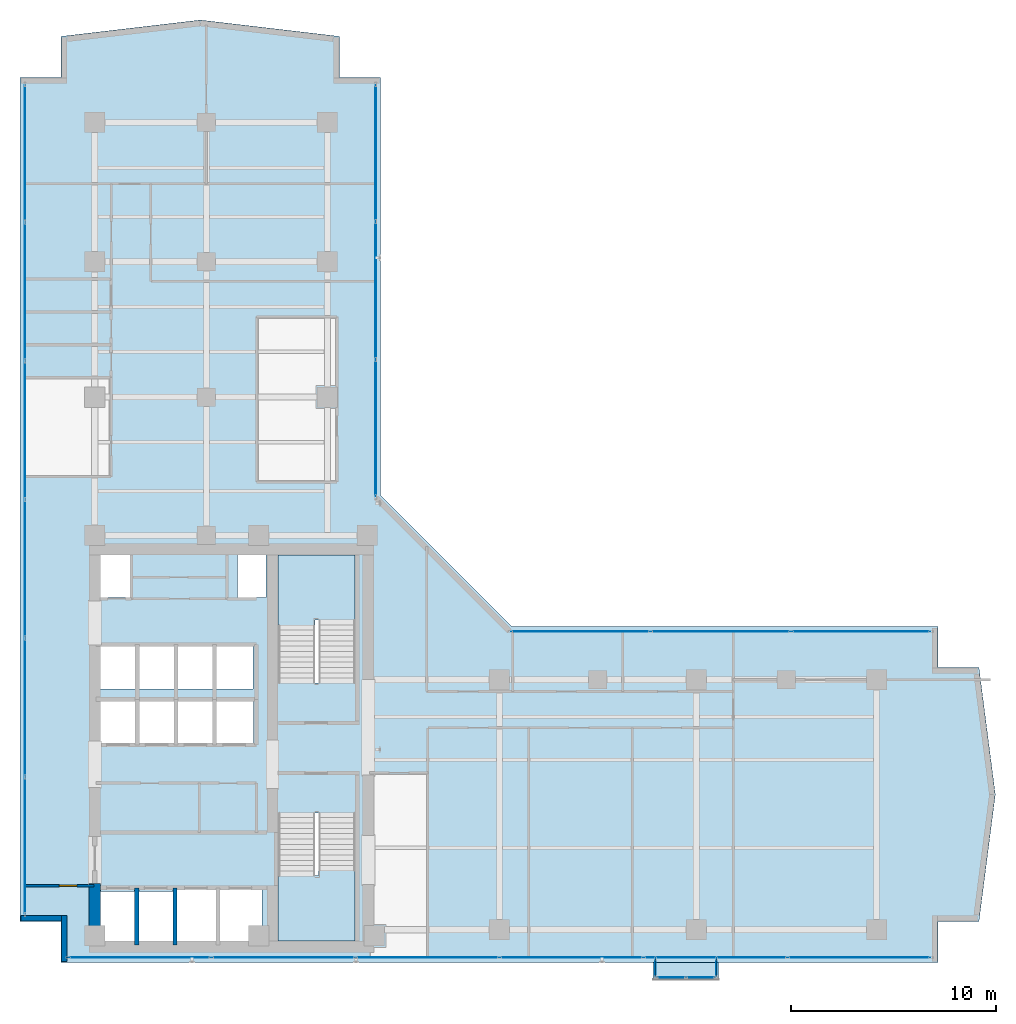
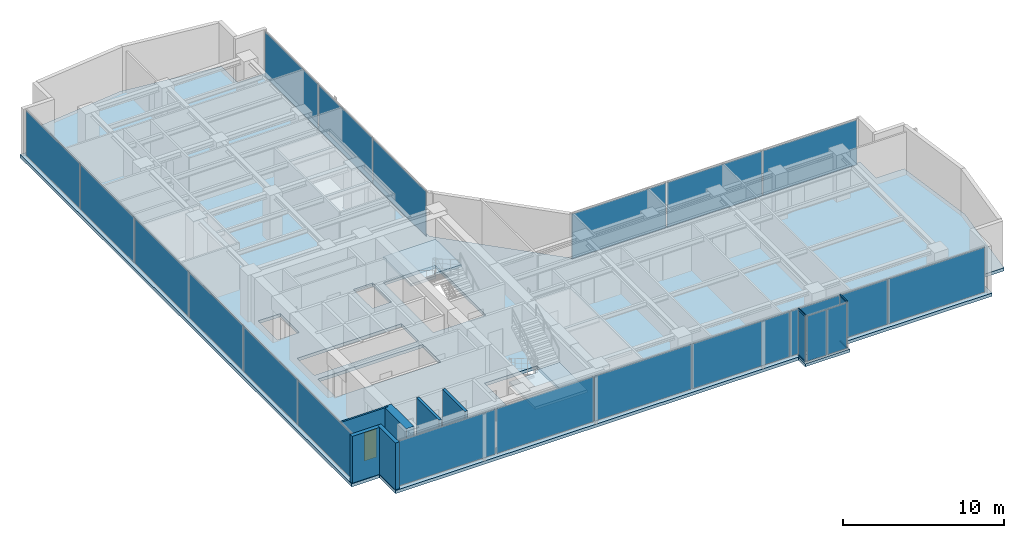
# One storey, part 16 of 24: 22 plates, 6 walls, 4 members, 4 slabs, 1 door, 1 opening, 9 elements without a shape of their own.
"""IFC4 building model written with IfcOpenShell, lengths in metres."""

from ifc_helpers import new_model, si_unit, direction, frame, frame_2d, origin, origin_with_axes, origin_2d, place, context, subcontext, project, spatial, polyline, rectangle, hollow_rectangle, outline, extrude, source, transform, mapped, material, layer, layer_set, material_profile, profile_set, type_object, element, fill, aggregate, save


model = new_model("IFC4")

# Units and contexts
model_context = context("Model", 3, precision=1e-05, world=origin(), true_north=direction((0.0, 1.0)))
body_context = subcontext(model_context, "Body", "Model", "MODEL_VIEW")
ifc_project = project(units=[si_unit("LENGTHUNIT", "METRE"), si_unit("AREAUNIT", "SQUARE_METRE"), si_unit("VOLUMEUNIT", "CUBIC_METRE"), si_unit("PLANEANGLEUNIT", "RADIAN"), si_unit("MASSUNIT", "GRAM", prefix="KILO")], contexts=[model_context])

# Site, building, storey
site_placement = place(None, origin())
site = spatial("IfcSite", under=ifc_project, at=site_placement, CompositionType="ELEMENT")
building_placement = place(site_placement, origin())
building = spatial("IfcBuilding", under=site, at=building_placement, Name="Kolvaren Waterfront Exchange", CompositionType="ELEMENT")
storey_placement = place(building_placement, frame((0.0, 0.0, 208.300048828125)))
storey = spatial("IfcBuildingStorey", under=building, at=storey_placement, Name="L53", CompositionType="ELEMENT", Elevation=208.300048828125)

# Curtain wall, members
ifc_material_1 = material(Name="Anodised bronze aluminium 6063-T6", Category="aluminium")
ifc_layer_1 = layer(ifc_material_1, 0.219970703125, Name="Anodised bronze aluminium 6063-T6")
ifc_layer_set_1 = layer_set([ifc_layer_1], Name="Anodised bronze aluminium 6063-T6")
curtain_wall_type_1 = type_object("IfcCurtainWallType", Name="ARC-CW-SYS3", PredefinedType="USERDEFINED", material=ifc_layer_set_1)
curtain_wall_1_placement = place(storey_placement, origin())
curtain_wall_1 = element("IfcCurtainWall", 1, at=curtain_wall_1_placement, inside=storey, type_object=curtain_wall_type_1, Name="L53 stick curtain wall CW3 (CW-L53-BOX-W)", ObjectType="STICK CURTAIN WALL", PredefinedType="USERDEFINED")
ifc_material_profile = material_profile(ifc_material_1, hollow_rectangle(XDim=0.06494140625, YDim=0.1298828125, WallThickness=0.00390625, at=origin_2d()), Name="ALU-TRN-130x65x4")
ifc_profile_set = profile_set([ifc_material_profile], Name="Anodised bronze aluminium 6063-T6")
member_type = type_object("IfcMemberType", Name="ARC-CWT-130", PredefinedType="USERDEFINED", material=ifc_profile_set)
shared_shape_1 = source(origin_with_axes(), body_context, "Body", "SweptSolid", [
    extrude(hollow_rectangle(XDim=0.06494140625, YDim=0.1298828125, WallThickness=0.00390625, at=origin_2d()), origin(), (0.0, 0.0, 1.0), 0.829833984375),
])
member_1_placement = place(storey_placement, frame((34.81005859375, 3.764892578125, 0.032470703125), z_axis=(0.0, -1.0, 0.0), x_axis=(1.0, 0.0, 0.0)))
member_1 = element("IfcMember", 2, at=member_1_placement, type_object=member_type, Name="CW3 transom 1.1", ObjectType="TRANSOM", PredefinedType="USERDEFINED", context=body_context, shape_type="MappedRepresentation", body=[
    mapped(shared_shape_1, transform((0.0, 0.0, 0.0), x_axis=(1.0, 0.0, 0.0), y_axis=(0.0, 1.0, 0.0), z_axis=(0.0, 0.0, 1.0), scale=1.0)),
])
member_2_placement = place(storey_placement, frame((34.81005859375, 3.764892578125, 3.52734375), z_axis=(0.0, -1.0, 0.0), x_axis=(1.0, 0.0, 0.0)))
member_2 = element("IfcMember", 3, at=member_2_placement, type_object=member_type, Name="CW3 transom 1.2", ObjectType="TRANSOM", PredefinedType="USERDEFINED", context=body_context, shape_type="MappedRepresentation", body=[
    mapped(shared_shape_1, transform((0.0, 0.0, 0.0), x_axis=(1.0, 0.0, 0.0), y_axis=(0.0, 1.0, 0.0), z_axis=(0.0, 0.0, 1.0), scale=1.0)),
])

curtain_wall_2_placement = place(storey_placement, origin())
curtain_wall_2 = element("IfcCurtainWall", 4, at=curtain_wall_2_placement, inside=storey, type_object=curtain_wall_type_1, Name="L53 stick curtain wall CW3 (CW-L53-BOX-E)", ObjectType="STICK CURTAIN WALL", PredefinedType="USERDEFINED")
member_3_placement = place(storey_placement, frame((37.7900390625, 2.93505859375, 0.032470703125), z_axis=(0.0, 1.0, 0.0), x_axis=(-1.0, 0.0, 0.0)))
member_3 = element("IfcMember", 5, at=member_3_placement, type_object=member_type, Name="CW3 transom 1.1", ObjectType="TRANSOM", PredefinedType="USERDEFINED", context=body_context, shape_type="MappedRepresentation", body=[
    mapped(shared_shape_1, transform((0.0, 0.0, 0.0), x_axis=(1.0, 0.0, 0.0), y_axis=(0.0, 1.0, 0.0), z_axis=(0.0, 0.0, 1.0), scale=1.0)),
])
member_4_placement = place(storey_placement, frame((37.7900390625, 2.93505859375, 3.52734375), z_axis=(0.0, 1.0, 0.0), x_axis=(-1.0, 0.0, 0.0)))
member_4 = element("IfcMember", 6, at=member_4_placement, type_object=member_type, Name="CW3 transom 1.2", ObjectType="TRANSOM", PredefinedType="USERDEFINED", context=body_context, shape_type="MappedRepresentation", body=[
    mapped(shared_shape_1, transform((0.0, 0.0, 0.0), x_axis=(1.0, 0.0, 0.0), y_axis=(0.0, 1.0, 0.0), z_axis=(0.0, 0.0, 1.0), scale=1.0)),
])

# Stair, slab
ifc_material_2 = material(Name="Concrete C40/50", Category="concrete")
stair_type = type_object("IfcStairType", Name="ARC-STAIR-3800", PredefinedType="HALF_TURN_STAIR", material=ifc_material_2)
stair_1_placement = place(storey_placement, origin())
stair_1 = element("IfcStair", 7, at=stair_1_placement, inside=storey, type_object=stair_type, Name="L53 Smoke-proof exit stair ST1", PredefinedType="HALF_TURN_STAIR")
ifc_layer_2 = layer(ifc_material_2, 0.199951171875, Name="Concrete C40/50")
ifc_layer_set_2 = layer_set([ifc_layer_2], Name="Concrete C40/50")
slab_type_1 = type_object("IfcSlabType", Name="STR-LANDING-200", PredefinedType="LANDING", material=ifc_layer_set_2)
slab_1_placement = place(storey_placement, frame((0.0, 0.0, 1.77587890625)))
slab_1 = element("IfcSlab", 8, at=slab_1_placement, type_object=slab_type_1, Name="ST1 landing 1", PredefinedType="LANDING", context=body_context, shape_type="SweptSolid", body=[
    extrude(outline(polyline([(16.39990234375, 7.840087890625), (16.39990234375, 4.64990234375), (20.159912109375, 4.64990234375), (20.159912109375, 8.10009765625), (18.360107421875, 8.10009765625), (18.360107421875, 7.840087890625), (16.39990234375, 7.840087890625)])), origin(), (0.0, 0.0, 1.0), 0.199951171875),
])
aggregate(stair_1, [slab_1])

stair_2_placement = place(storey_placement, origin())
stair_2 = element("IfcStair", 9, at=stair_2_placement, inside=storey, type_object=stair_type, Name="L53 Smoke-proof exit stair ST2", PredefinedType="HALF_TURN_STAIR")
slab_2_placement = place(storey_placement, frame((0.0, 0.0, 1.77587890625)))
slab_2 = element("IfcSlab", 10, at=slab_2_placement, type_object=slab_type_1, Name="ST2 landing 1", PredefinedType="LANDING", context=body_context, shape_type="SweptSolid", body=[
    extrude(outline(polyline([(20.159912109375, 20.31005859375), (20.159912109375, 23.5), (16.39990234375, 23.5), (16.39990234375, 20.050048828125), (18.199951171875, 20.050048828125), (18.199951171875, 20.31005859375), (20.159912109375, 20.31005859375)])), origin(), (0.0, 0.0, 1.0), 0.199951171875),
])
aggregate(stair_2, [slab_2])

# Slabs
ifc_layer_3 = layer(ifc_material_2, 0.239990234375, Name="Concrete C40/50")
ifc_layer_set_3 = layer_set([ifc_layer_3], Name="Concrete C40/50")
slab_type_2 = type_object("IfcSlabType", Name="STR-SLAB-240", PredefinedType="FLOOR", material=ifc_layer_set_3)
slab_3_placement = place(storey_placement, frame((0.0, 0.0, -0.239990234375)))
element("IfcSlab", 11, at=slab_3_placement, inside=storey, type_object=slab_type_2, Name="L53 structural floor slab", PredefinedType="FLOOR", context=body_context, shape_type="SweptSolid", body=[
    extrude(outline(polyline([(5.800048828125, 3.60009765625), (48.60009765625, 3.60009765625), (48.60009765625, 5.60009765625), (50.60009765625, 5.60009765625), (51.39990234375, 11.800048828125), (50.60009765625, 18.0), (48.60009765625, 18.0), (48.60009765625, 20.0), (27.800048828125, 20.0), (21.39990234375, 26.39990234375), (21.39990234375, 46.800048828125), (19.39990234375, 46.800048828125), (19.39990234375, 48.800048828125), (12.60009765625, 49.60009765625), (5.800048828125, 48.800048828125), (5.800048828125, 46.800048828125), (3.800048828125, 46.800048828125), (3.800048828125, 5.60009765625), (5.800048828125, 5.60009765625), (5.800048828125, 3.60009765625)]), holes=[polyline([(11.320068359375, 7.260009765625), (15.610107421875, 7.260009765625), (15.610107421875, 4.5400390625), (7.719970703125, 4.5400390625), (7.719970703125, 7.06005859375), (11.320068359375, 7.06005859375), (11.320068359375, 7.260009765625)]), polyline([(20.159912109375, 10.89990234375), (20.159912109375, 4.64990234375), (16.39990234375, 4.64990234375), (16.39990234375, 10.89990234375), (20.159912109375, 10.89990234375)]), polyline([(15.18505859375, 14.239990234375), (7.64501953125, 14.239990234375), (7.64501953125, 16.4599609375), (15.18505859375, 16.4599609375), (15.18505859375, 14.239990234375)]), polyline([(15.159912109375, 16.93994140625), (7.669921875, 16.93994140625), (7.669921875, 19.06005859375), (15.159912109375, 19.06005859375), (15.159912109375, 16.93994140625)]), polyline([(16.39990234375, 17.25), (16.39990234375, 23.5), (20.159912109375, 23.5), (20.159912109375, 17.25), (16.39990234375, 17.25)]), polyline([(7.60009765625, 23.780029296875), (9.179931640625, 23.780029296875), (9.179931640625, 21.419921875), (7.60009765625, 21.419921875), (7.60009765625, 23.780029296875)]), polyline([(14.419921875, 23.780029296875), (15.800048828125, 23.780029296875), (15.800048828125, 21.419921875), (14.419921875, 21.419921875), (14.419921875, 23.780029296875)])]), origin(), (0.0, 0.0, 1.0), 0.239990234375),
])
ifc_layer_4 = layer(ifc_material_2, 0.219970703125, Name="Concrete C40/50")
ifc_layer_set_4 = layer_set([ifc_layer_4], Name="Concrete C40/50")
slab_type_3 = type_object("IfcSlabType", Name="STR-TERR-220", PredefinedType="FLOOR", material=ifc_layer_set_4)
slab_4_placement = place(storey_placement, frame((0.0, 0.0, -0.219970703125)))
element("IfcSlab", 12, at=slab_4_placement, inside=storey, type_object=slab_type_3, Name="L53 projecting bay-box floor strip", PredefinedType="FLOOR", context=body_context, shape_type="SweptSolid", body=[
    extrude(outline(polyline([(34.699951171875, 2.75), (37.89990234375, 2.75), (37.89990234375, 3.60009765625), (34.699951171875, 3.60009765625), (34.699951171875, 2.75)])), origin(), (0.0, 0.0, 1.0), 0.219970703125),
])

# Plate
ifc_material_3 = material(Name="Bronze tinted bay-box vision glass", Category="aluminium")
ifc_layer_5 = layer(ifc_material_3, 0.02392578125, Name="Bronze tinted bay-box vision glass")
ifc_layer_set_5 = layer_set([ifc_layer_5], Name="Bronze tinted bay-box vision glass")
plate_type_1 = type_object("IfcPlateType", Name="ARC-CWP-24", PredefinedType="CURTAIN_PANEL", material=ifc_layer_set_5)
shared_shape_2 = source(origin_with_axes(), body_context, "Body", "SweptSolid", [
    extrude(rectangle(XDim=0.830078125, YDim=0.02392578125, at=origin_2d()), origin(), (0.0, 0.0, 1.0), 3.429931640625),
])
plate_1_placement = place(storey_placement, frame((34.81005859375, 3.35009765625, 0.06494140625), z_axis=(0.0, 0.0, 1.0), x_axis=(0.0, -1.0, 0.0)))
plate_1 = element("IfcPlate", 13, at=plate_1_placement, type_object=plate_type_1, Name="CW3 panel 1.1", PredefinedType="CURTAIN_PANEL", context=body_context, shape_type="MappedRepresentation", body=[
    mapped(shared_shape_2, transform((0.0, 0.0, 0.0), x_axis=(1.0, 0.0, 0.0), y_axis=(0.0, 1.0, 0.0), z_axis=(0.0, 0.0, 1.0), scale=1.0)),
])

aggregate(curtain_wall_1, [member_1, member_2, plate_1])

plate_2_placement = place(storey_placement, frame((37.7900390625, 3.35009765625, 0.06494140625), z_axis=(0.0, 0.0, 1.0), x_axis=(0.0, 1.0, 0.0)))
plate_2 = element("IfcPlate", 14, at=plate_2_placement, type_object=plate_type_1, Name="CW3 panel 1.1", PredefinedType="CURTAIN_PANEL", context=body_context, shape_type="MappedRepresentation", body=[
    mapped(shared_shape_2, transform((0.0, 0.0, 0.0), x_axis=(1.0, 0.0, 0.0), y_axis=(0.0, 1.0, 0.0), z_axis=(0.0, 0.0, 1.0), scale=1.0)),
])

aggregate(curtain_wall_2, [member_3, member_4, plate_2])

# Curtain wall, plates
curtain_wall_3_placement = place(storey_placement, origin())
curtain_wall_3 = element("IfcCurtainWall", 15, at=curtain_wall_3_placement, inside=storey, type_object=curtain_wall_type_1, Name="L53 stick curtain wall CW3 (CW-L53-BOX)", ObjectType="STICK CURTAIN WALL", PredefinedType="USERDEFINED")
shared_shape_3 = source(origin_with_axes(), body_context, "Body", "SweptSolid", [
    extrude(rectangle(XDim=1.37744140625, YDim=0.02392578125, at=origin_2d()), origin(), (0.0, 0.0, 1.0), 3.429931640625),
])
plate_3_placement = place(storey_placement, frame((35.57373046875, 2.860107421875, 0.06494140625), z_axis=(0.0, 0.0, 1.0), x_axis=(1.0, 0.0, 0.0)))
plate_3 = element("IfcPlate", 16, at=plate_3_placement, type_object=plate_type_1, Name="CW3 panel 1.1", PredefinedType="CURTAIN_PANEL", context=body_context, shape_type="MappedRepresentation", body=[
    mapped(shared_shape_3, transform((0.0, 0.0, 0.0), x_axis=(1.0, 0.0, 0.0), y_axis=(0.0, 1.0, 0.0), z_axis=(0.0, 0.0, 1.0), scale=1.0)),
])
plate_4_placement = place(storey_placement, frame((37.0263671875, 2.860107421875, 0.06494140625), z_axis=(0.0, 0.0, 1.0), x_axis=(1.0, 0.0, 0.0)))
plate_4 = element("IfcPlate", 17, at=plate_4_placement, type_object=plate_type_1, Name="CW3 panel 2.1", PredefinedType="CURTAIN_PANEL", context=body_context, shape_type="MappedRepresentation", body=[
    mapped(shared_shape_3, transform((0.0, 0.0, 0.0), x_axis=(1.0, 0.0, 0.0), y_axis=(0.0, 1.0, 0.0), z_axis=(0.0, 0.0, 1.0), scale=1.0)),
])
aggregate(curtain_wall_3, [plate_3, plate_4])

ifc_material_4 = material(Name="Anodised aluminium 6063-T6", Category="aluminium")
ifc_layer_6 = layer(ifc_material_4, 0.219970703125, Name="Anodised aluminium 6063-T6")
ifc_layer_set_6 = layer_set([ifc_layer_6], Name="Anodised aluminium 6063-T6")
curtain_wall_type_2 = type_object("IfcCurtainWallType", Name="ARC-CW-SYS2", PredefinedType="USERDEFINED", material=ifc_layer_set_6)
curtain_wall_4_placement = place(storey_placement, origin())
curtain_wall_4 = element("IfcCurtainWall", 18, at=curtain_wall_4_placement, inside=storey, type_object=curtain_wall_type_2, Name="L53 stick curtain wall CW2 (CW-L53-W)", ObjectType="STICK CURTAIN WALL", PredefinedType="USERDEFINED")
ifc_material_5 = material(Name="Acoustic laminated vision glass", Category="glass")
ifc_layer_7 = layer(ifc_material_5, 0.031982421875, Name="Acoustic laminated vision glass")
ifc_layer_set_7 = layer_set([ifc_layer_7], Name="Acoustic laminated vision glass")
plate_type_2 = type_object("IfcPlateType", Name="ARC-CWP-32", PredefinedType="CURTAIN_PANEL", material=ifc_layer_set_7)
shared_shape_4 = source(origin_with_axes(), body_context, "Body", "SweptSolid", [
    extrude(rectangle(XDim=6.646728515625, YDim=0.031982421875, at=origin_2d()), origin(), (0.0, 0.0, 1.0), 3.409912109375),
])
plate_5_placement = place(storey_placement, frame((4.0400390625, 9.30322265625, 0.0751953125), z_axis=(0.0, 0.0, 1.0), x_axis=(0.0, 1.0, 0.0)))
plate_5 = element("IfcPlate", 19, at=plate_5_placement, type_object=plate_type_2, Name="CW2 panel 1.1", PredefinedType="CURTAIN_PANEL", context=body_context, shape_type="MappedRepresentation", body=[
    mapped(shared_shape_4, transform((0.0, 0.0, 0.0), x_axis=(1.0, 0.0, 0.0), y_axis=(0.0, 1.0, 0.0), z_axis=(0.0, 0.0, 1.0), scale=1.0)),
])
plate_6_placement = place(storey_placement, frame((4.0400390625, 43.0966796875, 0.0751953125), z_axis=(0.0, 0.0, 1.0), x_axis=(0.0, 1.0, 0.0)))
plate_6 = element("IfcPlate", 20, at=plate_6_placement, type_object=plate_type_2, Name="CW2 panel 6.1", PredefinedType="CURTAIN_PANEL", context=body_context, shape_type="MappedRepresentation", body=[
    mapped(shared_shape_4, transform((0.0, 0.0, 0.0), x_axis=(1.0, 0.0, 0.0), y_axis=(0.0, 1.0, 0.0), z_axis=(0.0, 0.0, 1.0), scale=1.0)),
])
shared_shape_5 = source(origin_with_axes(), body_context, "Body", "SweptSolid", [
    extrude(rectangle(XDim=6.686767578125, YDim=0.031982421875, at=origin_2d()), origin(), (0.0, 0.0, 1.0), 3.409912109375),
])
plate_7_placement = place(storey_placement, frame((4.0400390625, 16.050048828125, 0.0751953125), z_axis=(0.0, 0.0, 1.0), x_axis=(0.0, 1.0, 0.0)))
plate_7 = element("IfcPlate", 21, at=plate_7_placement, type_object=plate_type_2, Name="CW2 panel 2.1", PredefinedType="CURTAIN_PANEL", context=body_context, shape_type="MappedRepresentation", body=[
    mapped(shared_shape_5, transform((0.0, 0.0, 0.0), x_axis=(1.0, 0.0, 0.0), y_axis=(0.0, 1.0, 0.0), z_axis=(0.0, 0.0, 1.0), scale=1.0)),
])
plate_8_placement = place(storey_placement, frame((4.0400390625, 22.816650390625, 0.0751953125), z_axis=(0.0, 0.0, 1.0), x_axis=(0.0, 1.0, 0.0)))
plate_8 = element("IfcPlate", 22, at=plate_8_placement, type_object=plate_type_2, Name="CW2 panel 3.1", PredefinedType="CURTAIN_PANEL", context=body_context, shape_type="MappedRepresentation", body=[
    mapped(shared_shape_5, transform((0.0, 0.0, 0.0), x_axis=(1.0, 0.0, 0.0), y_axis=(0.0, 1.0, 0.0), z_axis=(0.0, 0.0, 1.0), scale=1.0)),
])
plate_9_placement = place(storey_placement, frame((4.0400390625, 29.583251953125, 0.0751953125), z_axis=(0.0, 0.0, 1.0), x_axis=(0.0, 1.0, 0.0)))
plate_9 = element("IfcPlate", 23, at=plate_9_placement, type_object=plate_type_2, Name="CW2 panel 4.1", PredefinedType="CURTAIN_PANEL", context=body_context, shape_type="MappedRepresentation", body=[
    mapped(shared_shape_5, transform((0.0, 0.0, 0.0), x_axis=(1.0, 0.0, 0.0), y_axis=(0.0, 1.0, 0.0), z_axis=(0.0, 0.0, 1.0), scale=1.0)),
])
plate_10_placement = place(storey_placement, frame((4.0400390625, 36.35009765625, 0.0751953125), z_axis=(0.0, 0.0, 1.0), x_axis=(0.0, 1.0, 0.0)))
plate_10 = element("IfcPlate", 24, at=plate_10_placement, type_object=plate_type_2, Name="CW2 panel 5.1", PredefinedType="CURTAIN_PANEL", context=body_context, shape_type="MappedRepresentation", body=[
    mapped(shared_shape_5, transform((0.0, 0.0, 0.0), x_axis=(1.0, 0.0, 0.0), y_axis=(0.0, 1.0, 0.0), z_axis=(0.0, 0.0, 1.0), scale=1.0)),
])
aggregate(curtain_wall_4, [plate_5, plate_7, plate_8, plate_9, plate_10, plate_6])

ifc_layer_8 = layer(ifc_material_1, 0.219970703125, Name="Anodised bronze aluminium 6063-T6")
ifc_layer_set_8 = layer_set([ifc_layer_8], Name="Anodised bronze aluminium 6063-T6")
curtain_wall_type_3 = type_object("IfcCurtainWallType", Name="ARC-CW-SYS1", PredefinedType="USERDEFINED", material=ifc_layer_set_8)
curtain_wall_5_placement = place(storey_placement, origin())
curtain_wall_5 = element("IfcCurtainWall", 25, at=curtain_wall_5_placement, inside=storey, type_object=curtain_wall_type_3, Name="L53 stick curtain wall CW1 (CW-L53-S)", ObjectType="STICK CURTAIN WALL", PredefinedType="USERDEFINED")
ifc_material_6 = material(Name="Bronze solar control vision glass", Category="aluminium")
ifc_layer_9 = layer(ifc_material_6, 0.028076171875, Name="Bronze solar control vision glass")
ifc_layer_set_9 = layer_set([ifc_layer_9], Name="Bronze solar control vision glass")
plate_type_3 = type_object("IfcPlateType", Name="ARC-CWP-28", PredefinedType="CURTAIN_PANEL", material=ifc_layer_set_9)
shared_shape_6 = source(origin_with_axes(), body_context, "Body", "SweptSolid", [
    extrude(rectangle(XDim=6.913330078125, YDim=0.028076171875, at=origin_2d()), origin(), (0.0, 0.0, 1.0), 3.409912109375),
])
plate_11_placement = place(storey_placement, frame((9.63671875, 3.840087890625, 0.0751953125), z_axis=(0.0, 0.0, 1.0), x_axis=(1.0, 0.0, 0.0)))
plate_11 = element("IfcPlate", 26, at=plate_11_placement, type_object=plate_type_3, Name="CW1 panel 1.1", PredefinedType="CURTAIN_PANEL", context=body_context, shape_type="MappedRepresentation", body=[
    mapped(shared_shape_6, transform((0.0, 0.0, 0.0), x_axis=(1.0, 0.0, 0.0), y_axis=(0.0, 1.0, 0.0), z_axis=(0.0, 0.0, 1.0), scale=1.0)),
])
plate_12_placement = place(storey_placement, frame((44.763427734375, 3.840087890625, 0.0751953125), z_axis=(0.0, 0.0, 1.0), x_axis=(1.0, 0.0, 0.0)))
plate_12 = element("IfcPlate", 27, at=plate_12_placement, type_object=plate_type_3, Name="CW1 panel 6.1", PredefinedType="CURTAIN_PANEL", context=body_context, shape_type="MappedRepresentation", body=[
    mapped(shared_shape_6, transform((0.0, 0.0, 0.0), x_axis=(1.0, 0.0, 0.0), y_axis=(0.0, 1.0, 0.0), z_axis=(0.0, 0.0, 1.0), scale=1.0)),
])
shared_shape_7 = source(origin_with_axes(), body_context, "Body", "SweptSolid", [
    extrude(rectangle(XDim=6.953369140625, YDim=0.028076171875, at=origin_2d()), origin(), (0.0, 0.0, 1.0), 3.409912109375),
])
plate_13_placement = place(storey_placement, frame((16.64990234375, 3.840087890625, 0.0751953125), z_axis=(0.0, 0.0, 1.0), x_axis=(1.0, 0.0, 0.0)))
plate_13 = element("IfcPlate", 28, at=plate_13_placement, type_object=plate_type_3, Name="CW1 panel 2.1", PredefinedType="CURTAIN_PANEL", context=body_context, shape_type="MappedRepresentation", body=[
    mapped(shared_shape_7, transform((0.0, 0.0, 0.0), x_axis=(1.0, 0.0, 0.0), y_axis=(0.0, 1.0, 0.0), z_axis=(0.0, 0.0, 1.0), scale=1.0)),
])
plate_14_placement = place(storey_placement, frame((23.683349609375, 3.840087890625, 0.0751953125), z_axis=(0.0, 0.0, 1.0), x_axis=(1.0, 0.0, 0.0)))
plate_14 = element("IfcPlate", 29, at=plate_14_placement, type_object=plate_type_3, Name="CW1 panel 3.1", PredefinedType="CURTAIN_PANEL", context=body_context, shape_type="MappedRepresentation", body=[
    mapped(shared_shape_7, transform((0.0, 0.0, 0.0), x_axis=(1.0, 0.0, 0.0), y_axis=(0.0, 1.0, 0.0), z_axis=(0.0, 0.0, 1.0), scale=1.0)),
])
plate_15_placement = place(storey_placement, frame((30.716552734375, 3.840087890625, 0.0751953125), z_axis=(0.0, 0.0, 1.0), x_axis=(1.0, 0.0, 0.0)))
plate_15 = element("IfcPlate", 30, at=plate_15_placement, type_object=plate_type_3, Name="CW1 panel 4.1", PredefinedType="CURTAIN_PANEL", context=body_context, shape_type="MappedRepresentation", body=[
    mapped(shared_shape_7, transform((0.0, 0.0, 0.0), x_axis=(1.0, 0.0, 0.0), y_axis=(0.0, 1.0, 0.0), z_axis=(0.0, 0.0, 1.0), scale=1.0)),
])
plate_16_placement = place(storey_placement, frame((37.75, 3.840087890625, 0.0751953125), z_axis=(0.0, 0.0, 1.0), x_axis=(1.0, 0.0, 0.0)))
plate_16 = element("IfcPlate", 31, at=plate_16_placement, type_object=plate_type_3, Name="CW1 panel 5.1", PredefinedType="CURTAIN_PANEL", context=body_context, shape_type="MappedRepresentation", body=[
    mapped(shared_shape_7, transform((0.0, 0.0, 0.0), x_axis=(1.0, 0.0, 0.0), y_axis=(0.0, 1.0, 0.0), z_axis=(0.0, 0.0, 1.0), scale=1.0)),
])
aggregate(curtain_wall_5, [plate_11, plate_13, plate_14, plate_15, plate_16, plate_12])

curtain_wall_6_placement = place(storey_placement, origin())
curtain_wall_6 = element("IfcCurtainWall", 32, at=curtain_wall_6_placement, inside=storey, type_object=curtain_wall_type_3, Name="L53 stick curtain wall CW1 (CW-L53-NE)", ObjectType="STICK CURTAIN WALL", PredefinedType="USERDEFINED")
shared_shape_8 = source(origin_with_axes(), body_context, "Body", "SweptSolid", [
    extrude(rectangle(XDim=6.61669921875, YDim=0.028076171875, at=origin_2d()), origin(), (0.0, 0.0, 1.0), 3.409912109375),
])
plate_17_placement = place(storey_placement, frame((21.159912109375, 29.67822265625, 0.0751953125), z_axis=(0.0, 0.0, 1.0), x_axis=(0.0, 1.0, 0.0)))
plate_17 = element("IfcPlate", 33, at=plate_17_placement, type_object=plate_type_3, Name="CW1 panel 1.1", PredefinedType="CURTAIN_PANEL", context=body_context, shape_type="MappedRepresentation", body=[
    mapped(shared_shape_8, transform((0.0, 0.0, 0.0), x_axis=(1.0, 0.0, 0.0), y_axis=(0.0, 1.0, 0.0), z_axis=(0.0, 0.0, 1.0), scale=1.0)),
])
plate_18_placement = place(storey_placement, frame((21.159912109375, 43.111572265625, 0.0751953125), z_axis=(0.0, 0.0, 1.0), x_axis=(0.0, 1.0, 0.0)))
plate_18 = element("IfcPlate", 34, at=plate_18_placement, type_object=plate_type_3, Name="CW1 panel 3.1", PredefinedType="CURTAIN_PANEL", context=body_context, shape_type="MappedRepresentation", body=[
    mapped(shared_shape_8, transform((0.0, 0.0, 0.0), x_axis=(1.0, 0.0, 0.0), y_axis=(0.0, 1.0, 0.0), z_axis=(0.0, 0.0, 1.0), scale=1.0)),
])
shared_shape_9 = source(origin_with_axes(), body_context, "Body", "SweptSolid", [
    extrude(rectangle(XDim=6.65673828125, YDim=0.028076171875, at=origin_2d()), origin(), (0.0, 0.0, 1.0), 3.409912109375),
])
plate_19_placement = place(storey_placement, frame((21.159912109375, 36.39501953125, 0.0751953125), z_axis=(0.0, 0.0, 1.0), x_axis=(0.0, 1.0, 0.0)))
plate_19 = element("IfcPlate", 35, at=plate_19_placement, type_object=plate_type_3, Name="CW1 panel 2.1", PredefinedType="CURTAIN_PANEL", context=body_context, shape_type="MappedRepresentation", body=[
    mapped(shared_shape_9, transform((0.0, 0.0, 0.0), x_axis=(1.0, 0.0, 0.0), y_axis=(0.0, 1.0, 0.0), z_axis=(0.0, 0.0, 1.0), scale=1.0)),
])
aggregate(curtain_wall_6, [plate_17, plate_19, plate_18])

curtain_wall_7_placement = place(storey_placement, origin())
curtain_wall_7 = element("IfcCurtainWall", 36, at=curtain_wall_7_placement, inside=storey, type_object=curtain_wall_type_3, Name="L53 stick curtain wall CW1 (CW-L53-EN)", ObjectType="STICK CURTAIN WALL", PredefinedType="USERDEFINED")
shared_shape_10 = source(origin_with_axes(), body_context, "Body", "SweptSolid", [
    extrude(rectangle(XDim=6.75, YDim=0.028076171875, at=origin_2d()), origin(), (0.0, 0.0, 1.0), 3.409912109375),
])
plate_20_placement = place(storey_placement, frame((31.14501953125, 19.760009765625, 0.0751953125), z_axis=(0.0, 0.0, 1.0), x_axis=(1.0, 0.0, 0.0)))
plate_20 = element("IfcPlate", 37, at=plate_20_placement, type_object=plate_type_3, Name="CW1 panel 1.1", PredefinedType="CURTAIN_PANEL", context=body_context, shape_type="MappedRepresentation", body=[
    mapped(shared_shape_10, transform((0.0, 0.0, 0.0), x_axis=(1.0, 0.0, 0.0), y_axis=(0.0, 1.0, 0.0), z_axis=(0.0, 0.0, 1.0), scale=1.0)),
])
plate_21_placement = place(storey_placement, frame((44.844970703125, 19.760009765625, 0.0751953125), z_axis=(0.0, 0.0, 1.0), x_axis=(1.0, 0.0, 0.0)))
plate_21 = element("IfcPlate", 38, at=plate_21_placement, type_object=plate_type_3, Name="CW1 panel 3.1", PredefinedType="CURTAIN_PANEL", context=body_context, shape_type="MappedRepresentation", body=[
    mapped(shared_shape_10, transform((0.0, 0.0, 0.0), x_axis=(1.0, 0.0, 0.0), y_axis=(0.0, 1.0, 0.0), z_axis=(0.0, 0.0, 1.0), scale=1.0)),
])
shared_shape_11 = source(origin_with_axes(), body_context, "Body", "SweptSolid", [
    extrude(rectangle(XDim=6.7900390625, YDim=0.028076171875, at=origin_2d()), origin(), (0.0, 0.0, 1.0), 3.409912109375),
])
plate_22_placement = place(storey_placement, frame((37.9951171875, 19.760009765625, 0.0751953125), z_axis=(0.0, 0.0, 1.0), x_axis=(1.0, 0.0, 0.0)))
plate_22 = element("IfcPlate", 39, at=plate_22_placement, type_object=plate_type_3, Name="CW1 panel 2.1", PredefinedType="CURTAIN_PANEL", context=body_context, shape_type="MappedRepresentation", body=[
    mapped(shared_shape_11, transform((0.0, 0.0, 0.0), x_axis=(1.0, 0.0, 0.0), y_axis=(0.0, 1.0, 0.0), z_axis=(0.0, 0.0, 1.0), scale=1.0)),
])
aggregate(curtain_wall_7, [plate_20, plate_22, plate_21])

# Walls
ifc_material_7 = material(Name="Precast concrete C40/50", Category="concrete")
ifc_layer_10 = layer(ifc_material_7, 0.280029296875, Name="Precast concrete C40/50")
ifc_layer_set_10 = layer_set([ifc_layer_10], Name="Precast concrete C40/50")
wall_type_1 = type_object("IfcWallType", Name="ARC-EXT-TERR-280", PredefinedType="SOLIDWALL", material=ifc_layer_set_10)
wall_1_placement = place(storey_placement, frame((5.9599609375, 3.659912109375, 0.0), z_axis=(0.0, 0.0, 1.0), x_axis=(0.0, 1.0, 0.0)))
element("IfcWall", 40, at=wall_1_placement, inside=storey, type_object=wall_type_1, Name="L53 notched corner spandrel pier SW-A", PredefinedType="SOLIDWALL", context=body_context, shape_type="SweptSolid", body=[
    extrude(rectangle(XDim=2.239990234375, YDim=0.280029296875, at=frame_2d((1.1201171875, 0.0))), origin(), (0.0, 0.0, 1.0), 3.56005859375),
])
wall_2_placement = place(storey_placement, frame((3.860107421875, 5.760009765625, 0.0), z_axis=(0.0, 0.0, 1.0), x_axis=(1.0, 0.0, 0.0)))
element("IfcWall", 41, at=wall_2_placement, inside=storey, type_object=wall_type_1, Name="L53 notched corner spandrel pier SW-B", PredefinedType="SOLIDWALL", context=body_context, shape_type="SweptSolid", body=[
    extrude(rectangle(XDim=1.9599609375, YDim=0.280029296875, at=frame_2d((0.97998046875, 0.0))), origin(), (0.0, 0.0, 1.0), 3.56005859375),
])

# Wall, opening, door
ifc_material_8 = material(Name="Acoustic gypsum steel stud", Category="steel")
ifc_layer_11 = layer(ifc_material_8, 0.125, Name="Acoustic gypsum steel stud")
ifc_layer_set_11 = layer_set([ifc_layer_11], Name="Acoustic gypsum steel stud")
wall_type_2 = type_object("IfcWallType", Name="ARC-PART-125", PredefinedType="PARTITIONING", material=ifc_layer_set_11)
wall_3_placement = place(storey_placement, frame((4.0400390625, 7.35009765625, 0.0), z_axis=(0.0, 0.0, 1.0), x_axis=(1.0, 0.0, 0.0)))
wall_3 = element("IfcWall", 42, at=wall_3_placement, inside=storey, type_object=wall_type_2, Name="L53 interior wall PW-L53-SWC-N", PredefinedType="PARTITIONING", context=body_context, shape_type="SweptSolid", body=[
    extrude(rectangle(XDim=3.35986328125, YDim=0.125, at=frame_2d((1.679931640625, 0.0))), origin(), (0.0, 0.0, 1.0), 3.56005859375),
])
opening_placement = place(wall_3_placement, frame((1.686767578125, 0.0, 0.0)))
opening = element("IfcOpeningElement", 43, at=opening_placement, cuts=wall_3, Name="Opening D01", PredefinedType="OPENING", context=body_context, shape_type="SweptSolid", body=[
    extrude(rectangle(XDim=0.85009765625, YDim=2.14990234375, at=frame_2d((0.425048828125, 1.074951171875))), frame((0.0, 0.072509765625, 0.0), z_axis=(0.0, -1.0, 0.0), x_axis=(1.0, 0.0, 0.0)), (0.0, 0.0, 1.0), 0.14501953125),
])
ifc_material_9 = material(Name="Oak veneer timber leaf", Category="wood")
door_type = type_object("IfcDoorType", Name="ARC-DR-900", OperationType="NOTDEFINED", PredefinedType="DOOR", material=ifc_material_9)
door_placement = place(opening_placement, origin())
door = element("IfcDoor", 44, at=door_placement, inside=storey, type_object=door_type, Name="L53 door DR-L53-SWC-D (D01)", OperationType="SINGLE_SWING_RIGHT", OverallHeight=2.14990234375, OverallWidth=0.85009765625, PredefinedType="DOOR", context=body_context, shape_type="SweptSolid", body=[
    extrude(rectangle(XDim=0.85009765625, YDim=2.14990234375, at=frame_2d((0.425048828125, 1.074951171875))), frame((0.0, 0.02490234375, 0.0), z_axis=(0.0, -1.0, 0.0), x_axis=(1.0, 0.0, 0.0)), (0.0, 0.0, 1.0), 0.050048828125),
])
fill(opening, door)

# Walls
ifc_layer_12 = layer(ifc_material_2, 0.199951171875, Name="Concrete C40/50")
ifc_layer_set_12 = layer_set([ifc_layer_12], Name="Concrete C40/50")
wall_type_3 = type_object("IfcWallType", Name="ARC-SHAFT-200", PredefinedType="PARTITIONING", material=ifc_layer_set_12)
for number, where, z_axis, x_axis, name in (
    (45, (9.5, 4.449951171875, 0.0), (0.0, 0.0, 1.0), (0.0, 1.0, 0.0), "L53 interior wall PW-L53-SH1-DIV-95"),
    (46, (11.360107421875, 4.449951171875, 0.0), (0.0, 0.0, 1.0), (0.0, 1.0, 0.0), "L53 interior wall PW-L53-SH1-DIV-113"),
):
    element("IfcWall", number, at=place(storey_placement, frame(where, z_axis=z_axis, x_axis=x_axis)), inside=storey, type_object=wall_type_3, Name=name, PredefinedType="PARTITIONING", context=body_context, shape_type="SweptSolid", body=[
        extrude(rectangle(XDim=2.800048828125, YDim=0.199951171875, at=frame_2d((1.39990234375, 0.0))), origin(), (0.0, 0.0, 1.0), 3.56005859375),
    ])
ifc_material_10 = material(Name="Concrete C50/60", Category="concrete")
ifc_layer_13 = layer(ifc_material_10, 0.550048828125, Name="Concrete C50/60")
ifc_layer_set_13 = layer_set([ifc_layer_13], Name="Concrete C50/60")
wall_type_4 = type_object("IfcWallType", Name="STR-CWALL-550", PredefinedType="SHEAR", material=ifc_layer_set_13)
wall_4_placement = place(storey_placement, frame((7.449951171875, 4.64990234375, 0.0), z_axis=(0.0, 0.0, 1.0), x_axis=(0.0, 1.0, 0.0)))
element("IfcWall", 47, at=wall_4_placement, inside=storey, type_object=wall_type_4, Name="L53 rear-core shear wall W1", PredefinedType="SHEAR", context=body_context, shape_type="SweptSolid", body=[
    extrude(rectangle(XDim=2.800048828125, YDim=0.550048828125, at=frame_2d((1.39990234375, 0.0))), origin(), (0.0, 0.0, 1.0), 3.56005859375),
])

save(model, "model.ifc")
